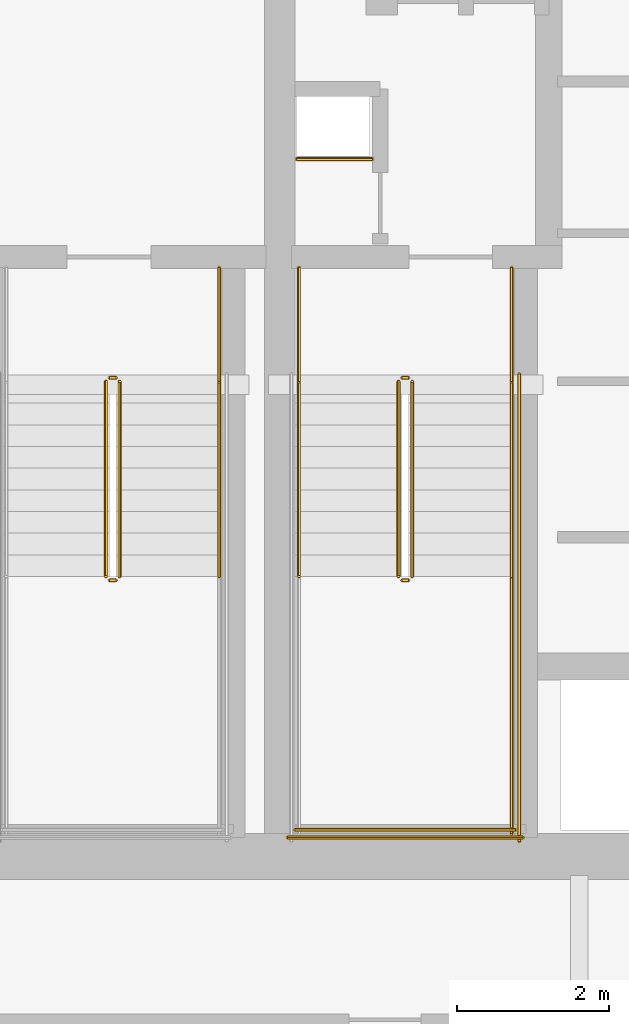
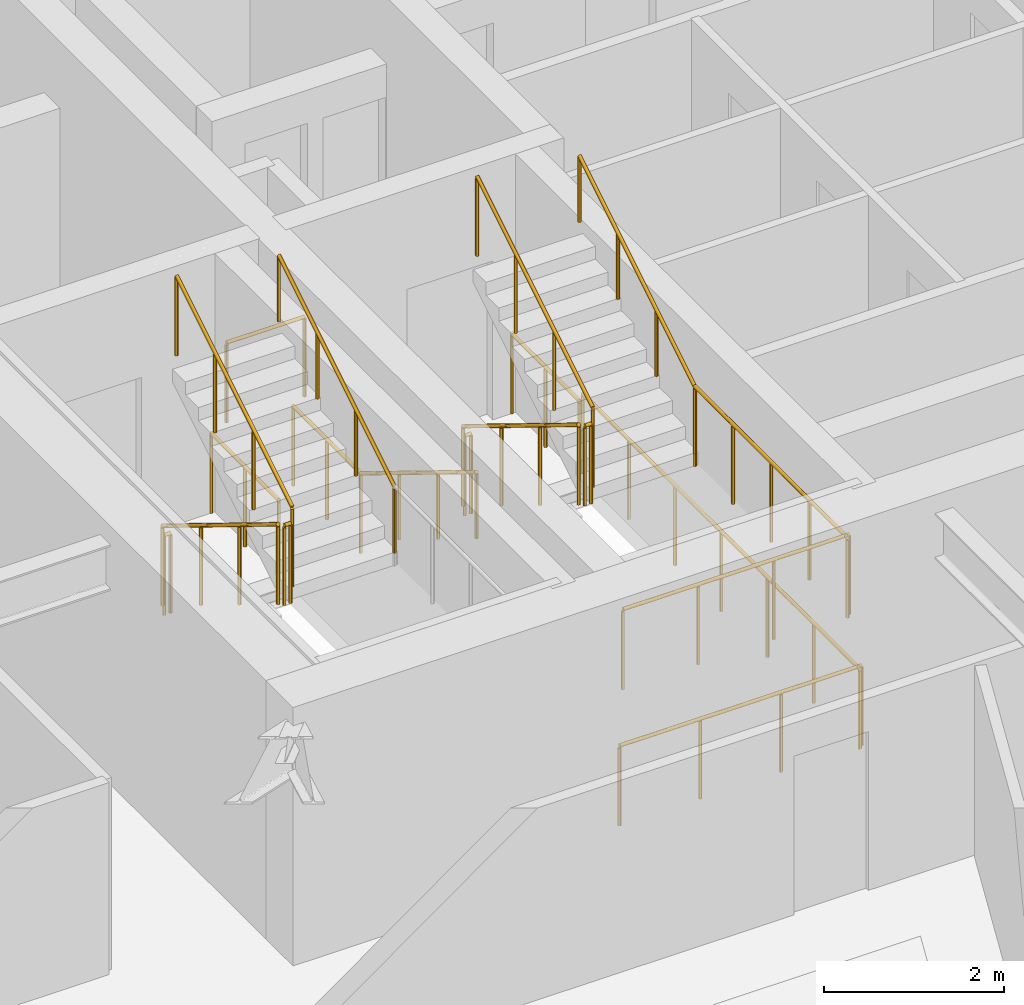
# One storey, part 23 of 25: 19 railings.
"""IFC4 building model written with IfcOpenShell, lengths in metres."""

from ifc_helpers import new_model, si_unit, direction, frame, origin, origin_2d, place, context, subcontext, project, spatial, circle, extrude, material, type_object, element, save


model = new_model("IFC4")

# Units and contexts
model_context = context("Model", 3, precision=1e-05, world=origin(), true_north=direction((0.0, 1.0)))
body_context = subcontext(model_context, "Body", "Model", "MODEL_VIEW")
ifc_project = project(units=[si_unit("LENGTHUNIT", "METRE"), si_unit("AREAUNIT", "SQUARE_METRE"), si_unit("VOLUMEUNIT", "CUBIC_METRE"), si_unit("PLANEANGLEUNIT", "RADIAN"), si_unit("MASSUNIT", "GRAM", prefix="KILO")], contexts=[model_context])

# Site, building, storey
site_placement = place(None, origin())
site = spatial("IfcSite", under=ifc_project, at=site_placement, CompositionType="ELEMENT")
building_placement = place(site_placement, origin())
building = spatial("IfcBuilding", under=site, at=building_placement, Name="Bramvorn Convention Spire", CompositionType="ELEMENT")
storey_placement = place(building_placement, frame((0.0, 0.0, 48.39990234375)))
storey = spatial("IfcBuildingStorey", under=building, at=storey_placement, Name="L09", CompositionType="ELEMENT", Elevation=48.39990234375)

# Railings
ifc_material_1 = material(Name="Painted Steel Balustrade & Guardrail", Category="steel")
railing_type_1 = type_object("IfcRailingType", Name="RL-STAIR-GUARD-1100", PredefinedType="GUARDRAIL", material=ifc_material_1)
railing_1_placement = place(storey_placement, frame((28.81005859375, 25.050048828125, 0.175048828125)))
element("IfcRailing", 1, at=railing_1_placement, inside=storey, type_object=railing_type_1, Name="L09 ST1 stair guard 1", PredefinedType="GUARDRAIL", context=body_context, shape_type="SweptSolid", body=[
    extrude(circle(Radius=0.02392578125, at=origin_2d()), frame((0.0, 0.0, 1.076171875), z_axis=(0.0, -0.852173129349, 0.523259933127), x_axis=(1.0, 0.0, 0.0)), (0.0, 0.0, 1.0), 3.009765625),
    extrude(circle(Radius=0.02099609375, at=origin_2d()), origin(), (0.0, 0.0, 1.0), 1.052001953125),
    extrude(circle(Radius=0.02099609375, at=origin_2d()), frame((0.0, -0.85498046875, 0.52490234375)), (0.0, 0.0, 1.0), 1.052001953125),
    extrude(circle(Radius=0.02099609375, at=origin_2d()), frame((0.0, -1.7099609375, 1.050048828125)), (0.0, 0.0, 1.0), 1.052001953125),
    extrude(circle(Radius=0.02099609375, at=origin_2d()), frame((0.0, -2.56494140625, 1.574951171875)), (0.0, 0.0, 1.0), 1.052001953125),
])
railing_2_placement = place(storey_placement, frame((28.860107421875, 22.43505859375, 1.75)))
element("IfcRailing", 2, at=railing_2_placement, inside=storey, type_object=railing_type_1, Name="L09 ST1 stair guard 2", PredefinedType="GUARDRAIL", context=body_context, shape_type="SweptSolid", body=[
    extrude(circle(Radius=0.02392578125, at=origin_2d()), frame((0.0, 0.0, 1.076171875), z_axis=(1.0, 0.0, 0.0), x_axis=(0.0, 1.0, 0.0)), (0.0, 0.0, 1.0), 0.079833984375),
    extrude(circle(Radius=0.02099609375, at=origin_2d()), origin(), (0.0, 0.0, 1.0), 1.052001953125),
    extrude(circle(Radius=0.02099609375, at=origin_2d()), frame((0.079833984375, 0.0, 0.0)), (0.0, 0.0, 1.0), 1.052001953125),
])
railing_3_placement = place(storey_placement, frame((28.989990234375, 22.485107421875, 1.925048828125)))
element("IfcRailing", 3, at=railing_3_placement, inside=storey, type_object=railing_type_1, Name="L09 ST1 stair guard 6", PredefinedType="GUARDRAIL", context=body_context, shape_type="SweptSolid", body=[
    extrude(circle(Radius=0.02392578125, at=origin_2d()), frame((0.0, 0.0, 1.076171875), z_axis=(0.0, 0.852173129349, 0.523259933127), x_axis=(-1.0, 0.0, 0.0)), (0.0, 0.0, 1.0), 3.009765625),
    extrude(circle(Radius=0.02099609375, at=origin_2d()), origin(), (0.0, 0.0, 1.0), 1.052001953125),
    extrude(circle(Radius=0.02099609375, at=origin_2d()), frame((0.0, 0.85498046875, 0.52490234375)), (0.0, 0.0, 1.0), 1.052001953125),
    extrude(circle(Radius=0.02099609375, at=origin_2d()), frame((0.0, 1.7099609375, 1.050048828125)), (0.0, 0.0, 1.0), 1.052001953125),
    extrude(circle(Radius=0.02099609375, at=origin_2d()), frame((0.0, 2.56494140625, 1.574951171875)), (0.0, 0.0, 1.0), 1.052001953125),
])
railing_4_placement = place(storey_placement, frame((28.860107421875, 25.10009765625, 0.0)))
element("IfcRailing", 4, at=railing_4_placement, inside=storey, type_object=railing_type_1, Name="L09 ST1 stair guard 7", PredefinedType="GUARDRAIL", context=body_context, shape_type="SweptSolid", body=[
    extrude(circle(Radius=0.02392578125, at=origin_2d()), frame((0.0, 0.0, 1.076171875), z_axis=(1.0, 0.0, 0.0), x_axis=(0.0, 1.0, 0.0)), (0.0, 0.0, 1.0), 0.079833984375),
    extrude(circle(Radius=0.02099609375, at=origin_2d()), origin(), (0.0, 0.0, 1.0), 1.052001953125),
    extrude(circle(Radius=0.02099609375, at=origin_2d()), frame((0.079833984375, 0.0, 0.0)), (0.0, 0.0, 1.0), 1.052001953125),
])
railing_5_placement = place(storey_placement, frame((30.300048828125, 26.550048828125, 0.0)))
element("IfcRailing", 5, at=railing_5_placement, inside=storey, type_object=railing_type_1, Name="L09 ST1 stair guard 9", PredefinedType="GUARDRAIL", context=body_context, shape_type="SweptSolid", body=[
    extrude(circle(Radius=0.02392578125, at=origin_2d()), frame((0.0, 0.0, 1.076171875), z_axis=(0.0, -1.0, 0.0), x_axis=(1.0, 0.0, 0.0)), (0.0, 0.0, 1.0), 1.5),
    extrude(circle(Radius=0.02099609375, at=origin_2d()), origin(), (0.0, 0.0, 1.0), 1.052001953125),
    extrude(circle(Radius=0.02099609375, at=origin_2d()), frame((0.0, -0.75, 0.0)), (0.0, 0.0, 1.0), 1.052001953125),
    extrude(circle(Radius=0.02099609375, at=origin_2d()), frame((0.0, -1.5, 0.0)), (0.0, 0.0, 1.0), 1.052001953125),
])
railing_6_placement = place(storey_placement, frame((32.659912109375, 25.050048828125, 0.175048828125)))
element("IfcRailing", 6, at=railing_6_placement, inside=storey, type_object=railing_type_1, Name="L09 ST3 stair guard 1", PredefinedType="GUARDRAIL", context=body_context, shape_type="SweptSolid", body=[
    extrude(circle(Radius=0.02392578125, at=origin_2d()), frame((0.0, 0.0, 1.076171875), z_axis=(0.0, -0.852173129349, 0.523259933127), x_axis=(1.0, 0.0, 0.0)), (0.0, 0.0, 1.0), 3.009765625),
    extrude(circle(Radius=0.02099609375, at=origin_2d()), origin(), (0.0, 0.0, 1.0), 1.052001953125),
    extrude(circle(Radius=0.02099609375, at=origin_2d()), frame((0.0, -0.85498046875, 0.52490234375)), (0.0, 0.0, 1.0), 1.052001953125),
    extrude(circle(Radius=0.02099609375, at=origin_2d()), frame((0.0, -1.7099609375, 1.050048828125)), (0.0, 0.0, 1.0), 1.052001953125),
    extrude(circle(Radius=0.02099609375, at=origin_2d()), frame((0.0, -2.56494140625, 1.574951171875)), (0.0, 0.0, 1.0), 1.052001953125),
])
railing_7_placement = place(storey_placement, frame((32.7099609375, 22.43505859375, 1.75)))
element("IfcRailing", 7, at=railing_7_placement, inside=storey, type_object=railing_type_1, Name="L09 ST3 stair guard 2", PredefinedType="GUARDRAIL", context=body_context, shape_type="SweptSolid", body=[
    extrude(circle(Radius=0.02392578125, at=origin_2d()), frame((0.0, 0.0, 1.076171875), z_axis=(1.0, 0.0, 0.0), x_axis=(0.0, 1.0, 0.0)), (0.0, 0.0, 1.0), 0.080078125),
    extrude(circle(Radius=0.02099609375, at=origin_2d()), origin(), (0.0, 0.0, 1.0), 1.052001953125),
    extrude(circle(Radius=0.02099609375, at=origin_2d()), frame((0.080078125, 0.0, 0.0)), (0.0, 0.0, 1.0), 1.052001953125),
])
railing_8_placement = place(storey_placement, frame((34.14990234375, 22.485107421875, 1.75)))
element("IfcRailing", 8, at=railing_8_placement, inside=storey, type_object=railing_type_1, Name="L09 ST3 stair guard 4", PredefinedType="GUARDRAIL", context=body_context, shape_type="SweptSolid", body=[
    extrude(circle(Radius=0.02392578125, at=origin_2d()), frame((0.0, 0.0, 1.076171875), z_axis=(0.0, -1.0, 0.0), x_axis=(1.0, 0.0, 0.0)), (0.0, 0.0, 1.0), 3.385009765625),
    extrude(circle(Radius=0.02099609375, at=origin_2d()), origin(), (0.0, 0.0, 1.0), 1.052001953125),
    extrude(circle(Radius=0.02099609375, at=origin_2d()), frame((0.0, -0.84619140625, 0.0)), (0.0, 0.0, 1.0), 1.052001953125),
    extrude(circle(Radius=0.02099609375, at=origin_2d()), frame((0.0, -1.6923828125, 0.0)), (0.0, 0.0, 1.0), 1.052001953125),
    extrude(circle(Radius=0.02099609375, at=origin_2d()), frame((0.0, -2.538818359375, 0.0)), (0.0, 0.0, 1.0), 1.052001953125),
    extrude(circle(Radius=0.02099609375, at=origin_2d()), frame((0.0, -3.385009765625, 0.0)), (0.0, 0.0, 1.0), 1.052001953125),
])
railing_9_placement = place(storey_placement, frame((31.300048828125, 19.14990234375, 1.75)))
element("IfcRailing", 9, at=railing_9_placement, inside=storey, type_object=railing_type_1, Name="L09 ST3 stair guard 5", PredefinedType="GUARDRAIL", context=body_context, shape_type="SweptSolid", body=[
    extrude(circle(Radius=0.02392578125, at=origin_2d()), frame((0.0, 0.0, 1.076171875), z_axis=(1.0, 0.0, 0.0), x_axis=(0.0, 1.0, 0.0)), (0.0, 0.0, 1.0), 2.89990234375),
    extrude(circle(Radius=0.02099609375, at=origin_2d()), origin(), (0.0, 0.0, 1.0), 1.052001953125),
    extrude(circle(Radius=0.02099609375, at=origin_2d()), frame((0.966552734375, 0.0, 0.0)), (0.0, 0.0, 1.0), 1.052001953125),
    extrude(circle(Radius=0.02099609375, at=origin_2d()), frame((1.933349609375, 0.0, 0.0)), (0.0, 0.0, 1.0), 1.052001953125),
    extrude(circle(Radius=0.02099609375, at=origin_2d()), frame((2.89990234375, 0.0, 0.0)), (0.0, 0.0, 1.0), 1.052001953125),
])
railing_10_placement = place(storey_placement, frame((32.840087890625, 22.485107421875, 1.925048828125)))
element("IfcRailing", 10, at=railing_10_placement, inside=storey, type_object=railing_type_1, Name="L09 ST3 stair guard 6", PredefinedType="GUARDRAIL", context=body_context, shape_type="SweptSolid", body=[
    extrude(circle(Radius=0.02392578125, at=origin_2d()), frame((0.0, 0.0, 1.076171875), z_axis=(0.0, 0.852173129349, 0.523259933127), x_axis=(-1.0, 0.0, 0.0)), (0.0, 0.0, 1.0), 3.009765625),
    extrude(circle(Radius=0.02099609375, at=origin_2d()), origin(), (0.0, 0.0, 1.0), 1.052001953125),
    extrude(circle(Radius=0.02099609375, at=origin_2d()), frame((0.0, 0.85498046875, 0.52490234375)), (0.0, 0.0, 1.0), 1.052001953125),
    extrude(circle(Radius=0.02099609375, at=origin_2d()), frame((0.0, 1.7099609375, 1.050048828125)), (0.0, 0.0, 1.0), 1.052001953125),
    extrude(circle(Radius=0.02099609375, at=origin_2d()), frame((0.0, 2.56494140625, 1.574951171875)), (0.0, 0.0, 1.0), 1.052001953125),
])
railing_11_placement = place(storey_placement, frame((32.7099609375, 25.10009765625, 0.0)))
element("IfcRailing", 11, at=railing_11_placement, inside=storey, type_object=railing_type_1, Name="L09 ST3 stair guard 7", PredefinedType="GUARDRAIL", context=body_context, shape_type="SweptSolid", body=[
    extrude(circle(Radius=0.02392578125, at=origin_2d()), frame((0.0, 0.0, 1.076171875), z_axis=(1.0, 0.0, 0.0), x_axis=(0.0, 1.0, 0.0)), (0.0, 0.0, 1.0), 0.080078125),
    extrude(circle(Radius=0.02099609375, at=origin_2d()), origin(), (0.0, 0.0, 1.0), 1.052001953125),
    extrude(circle(Radius=0.02099609375, at=origin_2d()), frame((0.080078125, 0.0, 0.0)), (0.0, 0.0, 1.0), 1.052001953125),
])
for number, where, name in (
    (12, (31.35009765625, 26.550048828125, 0.0), "L09 ST3 stair guard 8"),
    (13, (34.14990234375, 26.550048828125, 0.0), "L09 ST3 stair guard 9"),
):
    element("IfcRailing", number, at=place(storey_placement, frame(where)), inside=storey, type_object=railing_type_1, Name=name, PredefinedType="GUARDRAIL", context=body_context, shape_type="SweptSolid", body=[
        extrude(circle(Radius=0.02392578125, at=origin_2d()), frame((0.0, 0.0, 1.076171875), z_axis=(0.0, -1.0, 0.0), x_axis=(1.0, 0.0, 0.0)), (0.0, 0.0, 1.0), 1.5),
        extrude(circle(Radius=0.02099609375, at=origin_2d()), origin(), (0.0, 0.0, 1.0), 1.052001953125),
        extrude(circle(Radius=0.02099609375, at=origin_2d()), frame((0.0, -0.75, 0.0)), (0.0, 0.0, 1.0), 1.052001953125),
        extrude(circle(Radius=0.02099609375, at=origin_2d()), frame((0.0, -1.5, 0.0)), (0.0, 0.0, 1.0), 1.052001953125),
    ])
railing_12_placement = place(storey_placement, frame((34.25, 25.14990234375, 0.0)))
element("IfcRailing", 14, at=railing_12_placement, inside=storey, type_object=railing_type_1, Name="L09 ST3 stair guard 11", PredefinedType="GUARDRAIL", context=body_context, shape_type="SweptSolid", body=[
    extrude(circle(Radius=0.02392578125, at=origin_2d()), frame((0.0, 0.0, 1.076171875), z_axis=(0.0, -1.0, 0.0), x_axis=(1.0, 0.0, 0.0)), (0.0, 0.0, 1.0), 6.14990234375),
    extrude(circle(Radius=0.02099609375, at=origin_2d()), origin(), (0.0, 0.0, 1.0), 1.052001953125),
    extrude(circle(Radius=0.02099609375, at=origin_2d()), frame((0.0, -1.02490234375, 0.0)), (0.0, 0.0, 1.0), 1.052001953125),
    extrude(circle(Radius=0.02099609375, at=origin_2d()), frame((0.0, -2.050048828125, 0.0)), (0.0, 0.0, 1.0), 1.052001953125),
    extrude(circle(Radius=0.02099609375, at=origin_2d()), frame((0.0, -3.074951171875, 0.0)), (0.0, 0.0, 1.0), 1.052001953125),
    extrude(circle(Radius=0.02099609375, at=origin_2d()), frame((0.0, -4.099853515625, 0.0)), (0.0, 0.0, 1.0), 1.052001953125),
    extrude(circle(Radius=0.02099609375, at=origin_2d()), frame((0.0, -5.125, 0.0)), (0.0, 0.0, 1.0), 1.052001953125),
    extrude(circle(Radius=0.02099609375, at=origin_2d()), frame((0.0, -6.14990234375, 0.0)), (0.0, 0.0, 1.0), 1.052001953125),
])
railing_13_placement = place(storey_placement, frame((31.199951171875, 19.050048828125, 0.0)))
element("IfcRailing", 15, at=railing_13_placement, inside=storey, type_object=railing_type_1, Name="L09 ST3 stair guard 12", PredefinedType="GUARDRAIL", context=body_context, shape_type="SweptSolid", body=[
    extrude(circle(Radius=0.02392578125, at=origin_2d()), frame((0.0, 0.0, 1.076171875), z_axis=(1.0, 0.0, 0.0), x_axis=(0.0, 1.0, 0.0)), (0.0, 0.0, 1.0), 3.10009765625),
    extrude(circle(Radius=0.02099609375, at=origin_2d()), origin(), (0.0, 0.0, 1.0), 1.052001953125),
    extrude(circle(Radius=0.02099609375, at=origin_2d()), frame((1.033447265625, 0.0, 0.0)), (0.0, 0.0, 1.0), 1.052001953125),
    extrude(circle(Radius=0.02099609375, at=origin_2d()), frame((2.066650390625, 0.0, 0.0)), (0.0, 0.0, 1.0), 1.052001953125),
    extrude(circle(Radius=0.02099609375, at=origin_2d()), frame((3.10009765625, 0.0, 0.0)), (0.0, 0.0, 1.0), 1.052001953125),
])
railing_14_placement = place(storey_placement, frame((31.320068359375, 27.97998046875, 0.0)))
element("IfcRailing", 16, at=railing_14_placement, inside=storey, type_object=railing_type_1, Name="L09 Telecom riser shaft opening safety guardrail", PredefinedType="GUARDRAIL", context=body_context, shape_type="SweptSolid", body=[
    extrude(circle(Radius=0.02392578125, at=origin_2d()), frame((0.0, 0.0, 1.076171875), z_axis=(1.0, 0.0, 0.0), x_axis=(0.0, 1.0, 0.0)), (0.0, 0.0, 1.0), 1.0),
    extrude(circle(Radius=0.02099609375, at=origin_2d()), origin(), (0.0, 0.0, 1.0), 1.052001953125),
    extrude(circle(Radius=0.02099609375, at=origin_2d()), frame((1.0, 0.0, 0.0)), (0.0, 0.0, 1.0), 1.052001953125),
])
ifc_material_2 = material(Name="Brushed Bronze Tubular Handrail", Category="aluminium")
railing_type_2 = type_object("IfcRailingType", Name="RL-STAIR-HR-920", PredefinedType="HANDRAIL", material=ifc_material_2)
railing_15_placement = place(storey_placement, frame((30.300048828125, 22.485107421875, 1.925048828125)))
element("IfcRailing", 17, at=railing_15_placement, inside=storey, type_object=railing_type_2, Name="L09 ST1 stair handrail 2", PredefinedType="HANDRAIL", context=body_context, shape_type="SweptSolid", body=[
    extrude(circle(Radius=0.02392578125, at=origin_2d()), frame((0.0, 0.0, 0.89599609375), z_axis=(0.0, 0.852173129349, 0.523259933127), x_axis=(-1.0, 0.0, 0.0)), (0.0, 0.0, 1.0), 3.009765625),
    extrude(circle(Radius=0.02099609375, at=origin_2d()), origin(), (0.0, 0.0, 1.0), 0.871826171875),
    extrude(circle(Radius=0.02099609375, at=origin_2d()), frame((0.0, 0.85498046875, 0.52490234375)), (0.0, 0.0, 1.0), 0.871826171875),
    extrude(circle(Radius=0.02099609375, at=origin_2d()), frame((0.0, 1.7099609375, 1.050048828125)), (0.0, 0.0, 1.0), 0.871826171875),
    extrude(circle(Radius=0.02099609375, at=origin_2d()), frame((0.0, 2.56494140625, 1.574951171875)), (0.0, 0.0, 1.0), 0.871826171875),
])
railing_16_placement = place(storey_placement, frame((31.35009765625, 25.050048828125, 0.175048828125)))
element("IfcRailing", 18, at=railing_16_placement, inside=storey, type_object=railing_type_2, Name="L09 ST3 stair handrail 1", PredefinedType="HANDRAIL", context=body_context, shape_type="SweptSolid", body=[
    extrude(circle(Radius=0.02392578125, at=origin_2d()), frame((0.0, 0.0, 0.89599609375), z_axis=(0.0, -0.852173129349, 0.523259933127), x_axis=(1.0, 0.0, 0.0)), (0.0, 0.0, 1.0), 3.009765625),
    extrude(circle(Radius=0.02099609375, at=origin_2d()), origin(), (0.0, 0.0, 1.0), 0.871826171875),
    extrude(circle(Radius=0.02099609375, at=origin_2d()), frame((0.0, -0.85498046875, 0.52490234375)), (0.0, 0.0, 1.0), 0.871826171875),
    extrude(circle(Radius=0.02099609375, at=origin_2d()), frame((0.0, -1.7099609375, 1.050048828125)), (0.0, 0.0, 1.0), 0.871826171875),
    extrude(circle(Radius=0.02099609375, at=origin_2d()), frame((0.0, -2.56494140625, 1.574951171875)), (0.0, 0.0, 1.0), 0.871826171875),
])
railing_17_placement = place(storey_placement, frame((34.14990234375, 22.485107421875, 1.925048828125)))
element("IfcRailing", 19, at=railing_17_placement, inside=storey, type_object=railing_type_2, Name="L09 ST3 stair handrail 2", PredefinedType="HANDRAIL", context=body_context, shape_type="SweptSolid", body=[
    extrude(circle(Radius=0.02392578125, at=origin_2d()), frame((0.0, 0.0, 0.89599609375), z_axis=(0.0, 0.852173129349, 0.523259933127), x_axis=(-1.0, 0.0, 0.0)), (0.0, 0.0, 1.0), 3.009765625),
    extrude(circle(Radius=0.02099609375, at=origin_2d()), origin(), (0.0, 0.0, 1.0), 0.871826171875),
    extrude(circle(Radius=0.02099609375, at=origin_2d()), frame((0.0, 0.85498046875, 0.52490234375)), (0.0, 0.0, 1.0), 0.871826171875),
    extrude(circle(Radius=0.02099609375, at=origin_2d()), frame((0.0, 1.7099609375, 1.050048828125)), (0.0, 0.0, 1.0), 0.871826171875),
    extrude(circle(Radius=0.02099609375, at=origin_2d()), frame((0.0, 2.56494140625, 1.574951171875)), (0.0, 0.0, 1.0), 0.871826171875),
])

save(model, "model.ifc")
